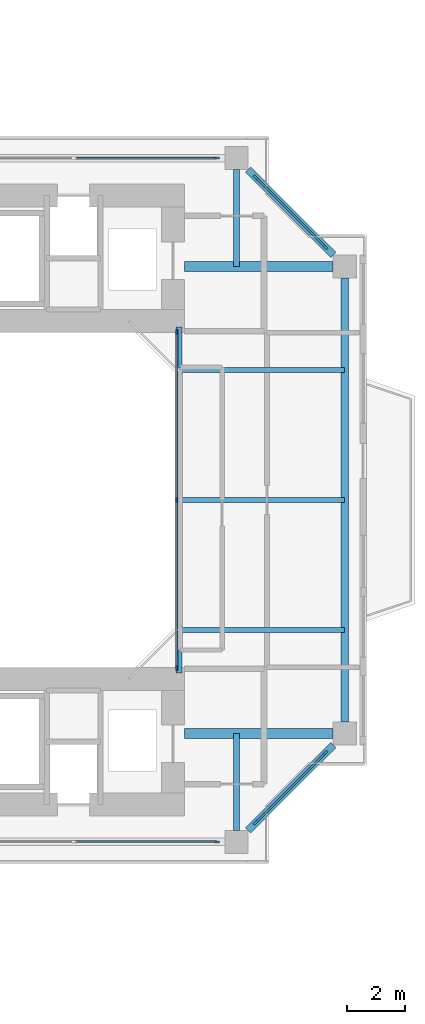
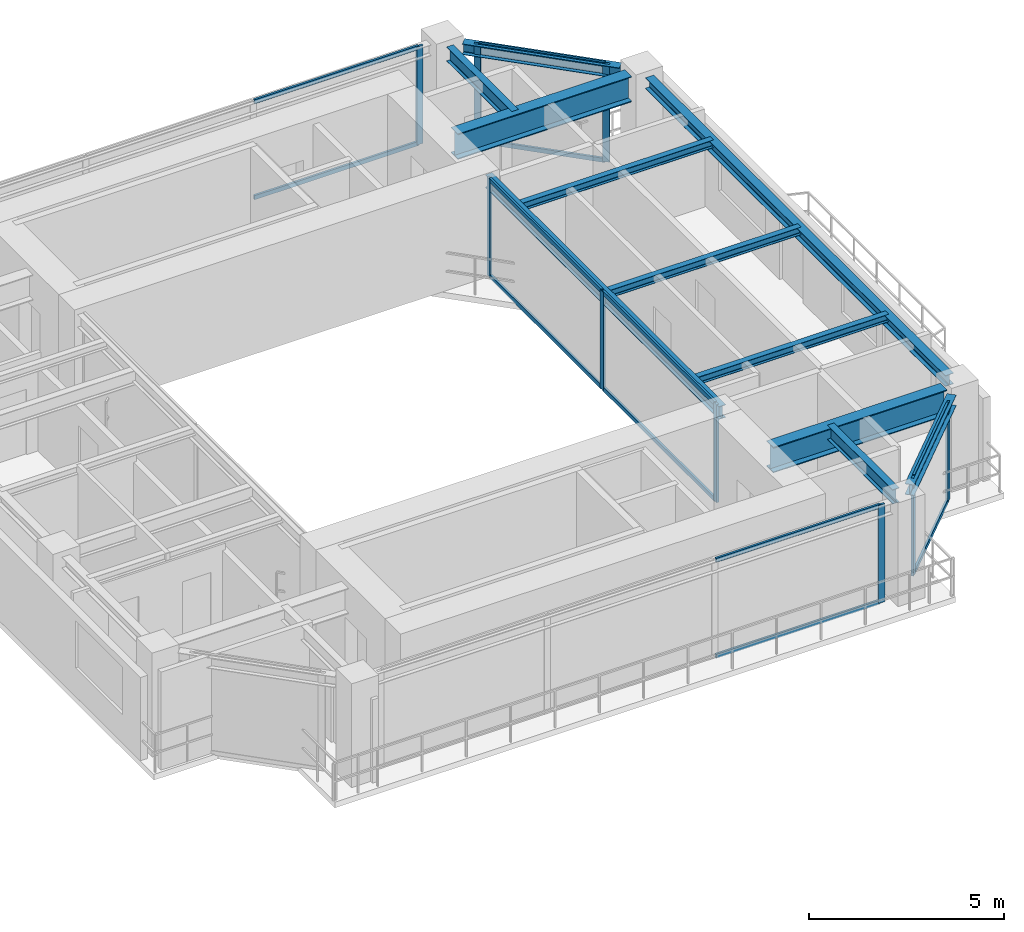
# One storey, part 11 of 24: 21 members, 11 beams, 5 elements without a shape of their own.
"""IFC4 building model written with IfcOpenShell, lengths in metres."""

from ifc_helpers import new_model, si_unit, direction, frame, origin, origin_2d, place, context, subcontext, project, spatial, rectangle, i_section, extrude, source, transform, mapped, material, layer, layer_set, material_profile, profile_set, type_object, element, aggregate, save


model = new_model("IFC4")

# Units and contexts
model_context = context("Model", 3, precision=1e-05, world=origin(), true_north=direction((0.0, 1.0)))
body_context = subcontext(model_context, "Body", "Model", "MODEL_VIEW")
ifc_project = project(units=[si_unit("LENGTHUNIT", "METRE"), si_unit("AREAUNIT", "SQUARE_METRE"), si_unit("VOLUMEUNIT", "CUBIC_METRE"), si_unit("PLANEANGLEUNIT", "RADIAN"), si_unit("MASSUNIT", "GRAM", prefix="KILO"), si_unit("THERMODYNAMICTEMPERATUREUNIT", "KELVIN"), si_unit("POWERUNIT", "WATT")], contexts=[model_context])

# Site, building, storey
site_placement = place(None, origin())
site = spatial("IfcSite", under=ifc_project, at=site_placement, CompositionType="ELEMENT")
building_placement = place(site_placement, origin())
building = spatial("IfcBuilding", under=site, at=building_placement, Name="Qiaomeng Ring Towers", CompositionType="ELEMENT")
storey_placement = place(building_placement, frame((0.0, 0.0, 110.0)))
storey = spatial("IfcBuildingStorey", under=building, at=storey_placement, Name="L31", CompositionType="ELEMENT", Elevation=110.0)

# Beams
ifc_material_1 = material(Name="Steel Q355B", Category="steel")
ifc_material_profile_1 = material_profile(ifc_material_1, i_section(OverallWidth=0.199951171875, OverallDepth=0.39990234375, WebThickness=0.008056640625, FlangeThickness=0.012939453125, FilletRadius=0.01611328125, at=origin_2d()), Name="HN 400x200x8x13")
ifc_profile_set_1 = profile_set([ifc_material_profile_1], Name="Steel Q355B")
beam_type_1 = type_object("IfcBeamType", Name="STR-BM-HN400", PredefinedType="SPANDREL", material=ifc_profile_set_1)
shared_shape_1 = source(origin(), body_context, "Body", "SweptSolid", [
    extrude(i_section(OverallWidth=0.199951171875, OverallDepth=0.39990234375, WebThickness=0.008056640625, FlangeThickness=0.012939453125, FilletRadius=0.01611328125, at=origin_2d()), origin(), (0.0, 0.0, 1.0), 12.0),
])
beam_1_placement = place(storey_placement, frame((66.60009765625, 17.0, 2.8701171875), z_axis=(0.0, 1.0, 0.0), x_axis=(-1.0, 0.0, 0.0)))
element("IfcBeam", 1, at=beam_1_placement, inside=storey, type_object=beam_type_1, Name="L31 beam STR-BM-L31-T2-WELL-E", PredefinedType="SPANDREL", context=body_context, shape_type="MappedRepresentation", body=[
    mapped(shared_shape_1, transform((0.0, 0.0, 0.0), x_axis=(1.0, 0.0, 0.0), y_axis=(0.0, 1.0, 0.0), z_axis=(0.0, 0.0, 1.0), scale=1.0)),
])
ifc_material_profile_2 = material_profile(ifc_material_1, i_section(OverallWidth=0.25, OverallDepth=0.340087890625, WebThickness=0.009033203125, FlangeThickness=0.013916015625, FilletRadius=0.02001953125, at=origin_2d()), Name="HM 340x250x9x14")
ifc_profile_set_2 = profile_set([ifc_material_profile_2], Name="Steel Q355B")
beam_type_2 = type_object("IfcBeamType", Name="STR-BM-HM340", PredefinedType="SPANDREL", material=ifc_profile_set_2)
shared_shape_2 = source(origin(), body_context, "Body", "SweptSolid", [
    extrude(i_section(OverallWidth=0.25, OverallDepth=0.340087890625, WebThickness=0.009033203125, FlangeThickness=0.013916015625, FilletRadius=0.02001953125, at=origin_2d()), origin(), (0.0, 0.0, 1.0), 15.40185546875),
])
beam_2_placement = place(storey_placement, frame((72.35009765625, 15.299072265625, 2.89990234375), z_axis=(0.0, 1.0, 0.0), x_axis=(-1.0, 0.0, 0.0)))
element("IfcBeam", 2, at=beam_2_placement, inside=storey, type_object=beam_type_2, Name="L31 beam STR-SP-L31-T2-E1-E2", PredefinedType="SPANDREL", context=body_context, shape_type="MappedRepresentation", body=[
    mapped(shared_shape_2, transform((0.0, 0.0, 0.0), x_axis=(1.0, 0.0, 0.0), y_axis=(0.0, 1.0, 0.0), z_axis=(0.0, 0.0, 1.0), scale=1.0)),
])
shared_shape_3 = source(origin(), body_context, "Body", "SweptSolid", [
    extrude(i_section(OverallWidth=0.25, OverallDepth=0.340087890625, WebThickness=0.009033203125, FlangeThickness=0.013916015625, FilletRadius=0.02001953125, at=origin_2d()), origin(), (0.0, 0.0, 1.0), 4.173828125),
])
for number, where, z_axis, x_axis, name in (
    (3, (68.999267578125, 11.54931640625, 2.89990234375), (0.707106781187, 0.707106781187, 0.0), (-0.707106781187, 0.707106781187, 0.0), "L31 beam STR-SP-L31-T2-S2-E1"),
    (4, (71.95068359375, 31.499267578125, 2.89990234375), (-0.707106781187, 0.707106781187, 0.0), (-0.707106781187, -0.707106781187, 0.0), "L31 beam STR-SP-L31-T2-E2-N2"),
):
    element("IfcBeam", number, at=place(storey_placement, frame(where, z_axis=z_axis, x_axis=x_axis)), inside=storey, type_object=beam_type_2, Name=name, PredefinedType="SPANDREL", context=body_context, shape_type="MappedRepresentation", body=[
        mapped(shared_shape_3, transform((0.0, 0.0, 0.0), x_axis=(1.0, 0.0, 0.0), y_axis=(0.0, 1.0, 0.0), z_axis=(0.0, 0.0, 1.0), scale=1.0)),
    ])
ifc_material_2 = material(Name="Steel Q390GJC", Category="steel")
ifc_material_profile_3 = material_profile(ifc_material_2, i_section(OverallWidth=0.35009765625, OverallDepth=0.800048828125, WebThickness=0.01611328125, FlangeThickness=0.028076171875, at=origin_2d()), Name="WH 800x350x16x28")
ifc_profile_set_3 = profile_set([ifc_material_profile_3], Name="Steel Q390GJC")
beam_type_3 = type_object("IfcBeamType", Name="STR-BM-WH800", PredefinedType="BEAM", material=ifc_profile_set_3)
shared_shape_4 = source(origin(), body_context, "Body", "SweptSolid", [
    extrude(i_section(OverallWidth=0.35009765625, OverallDepth=0.800048828125, WebThickness=0.01611328125, FlangeThickness=0.028076171875, at=origin_2d()), origin(), (0.0, 0.0, 1.0), 5.15087890625),
])
for number, where, z_axis, x_axis, name in (
    (5, (66.800048828125, 14.89990234375, 2.669921875), (1.0, 0.0, 0.0), (0.0, 1.0, 0.0), "L31 beam STR-BM-L31-T2-RAD-E1"),
    (6, (66.800048828125, 31.10009765625, 2.669921875), (1.0, 0.0, 0.0), (0.0, 1.0, 0.0), "L31 beam STR-BM-L31-T2-RAD-E2"),
):
    element("IfcBeam", number, at=place(storey_placement, frame(where, z_axis=z_axis, x_axis=x_axis)), inside=storey, type_object=beam_type_3, Name=name, PredefinedType="BEAM", context=body_context, shape_type="MappedRepresentation", body=[
        mapped(shared_shape_4, transform((0.0, 0.0, 0.0), x_axis=(1.0, 0.0, 0.0), y_axis=(0.0, 1.0, 0.0), z_axis=(0.0, 0.0, 1.0), scale=1.0)),
    ])
ifc_material_profile_4 = material_profile(ifc_material_1, i_section(OverallWidth=0.199951171875, OverallDepth=0.449951171875, WebThickness=0.009033203125, FlangeThickness=0.013916015625, FilletRadius=0.01806640625, at=origin_2d()), Name="HN 450x200x9x14")
ifc_profile_set_4 = profile_set([ifc_material_profile_4], Name="Steel Q355B")
beam_type_4 = type_object("IfcBeamType", Name="STR-BM-HN450", PredefinedType="SPANDREL", material=ifc_profile_set_4)
shared_shape_5 = source(origin(), body_context, "Body", "SweptSolid", [
    extrude(i_section(OverallWidth=0.199951171875, OverallDepth=0.449951171875, WebThickness=0.009033203125, FlangeThickness=0.013916015625, FilletRadius=0.01806640625, at=origin_2d()), origin(), (0.0, 0.0, 1.0), 3.350830078125),
])
for number, where, z_axis, x_axis, name in (
    (7, (68.60009765625, 34.450927734375, 2.844970703125), (0.0, -1.0, 0.0), (1.0, 0.0, 0.0), "L31 beam STR-BM-L31-T2-RAD-N2"),
    (8, (68.60009765625, 11.549072265625, 2.844970703125), (0.0, 1.0, 0.0), (-1.0, 0.0, 0.0), "L31 beam STR-BM-L31-T2-RAD-S2"),
):
    element("IfcBeam", number, at=place(storey_placement, frame(where, z_axis=z_axis, x_axis=x_axis)), inside=storey, type_object=beam_type_4, Name=name, PredefinedType="SPANDREL", context=body_context, shape_type="MappedRepresentation", body=[
        mapped(shared_shape_5, transform((0.0, 0.0, 0.0), x_axis=(1.0, 0.0, 0.0), y_axis=(0.0, 1.0, 0.0), z_axis=(0.0, 0.0, 1.0), scale=1.0)),
    ])
ifc_material_profile_5 = material_profile(ifc_material_1, i_section(OverallWidth=0.175048828125, OverallDepth=0.243896484375, WebThickness=0.007080078125, FlangeThickness=0.010986328125, FilletRadius=0.01611328125, at=origin_2d()), Name="HM 244x175x7x11")
ifc_profile_set_5 = profile_set([ifc_material_profile_5], Name="Steel Q355B")
beam_type_5 = type_object("IfcBeamType", Name="STR-BM-HM244", PredefinedType="JOIST", material=ifc_profile_set_5)
shared_shape_6 = source(origin(), body_context, "Body", "SweptSolid", [
    extrude(i_section(OverallWidth=0.175048828125, OverallDepth=0.243896484375, WebThickness=0.007080078125, FlangeThickness=0.010986328125, FilletRadius=0.01611328125, at=origin_2d()), origin(), (0.0, 0.0, 1.0), 5.75),
])
for number, where, z_axis, x_axis, name in (
    (9, (66.60009765625, 18.5, 2.947998046875), (1.0, 0.0, 0.0), (0.0, 1.0, 0.0), "L31 beam STR-JST-L31-T2E-1"),
    (10, (66.60009765625, 23.0, 2.947998046875), (1.0, 0.0, 0.0), (0.0, 1.0, 0.0), "L31 beam STR-JST-L31-T2E-2"),
    (11, (66.60009765625, 27.5, 2.947998046875), (1.0, 0.0, 0.0), (0.0, 1.0, 0.0), "L31 beam STR-JST-L31-T2E-3"),
):
    element("IfcBeam", number, at=place(storey_placement, frame(where, z_axis=z_axis, x_axis=x_axis)), inside=storey, type_object=beam_type_5, Name=name, PredefinedType="JOIST", context=body_context, shape_type="MappedRepresentation", body=[
        mapped(shared_shape_6, transform((0.0, 0.0, 0.0), x_axis=(1.0, 0.0, 0.0), y_axis=(0.0, 1.0, 0.0), z_axis=(0.0, 0.0, 1.0), scale=1.0)),
    ])

# Curtain wall, members
ifc_material_3 = material(Name="Fluorocarbon dark-grey aluminium", Category="aluminium")
ifc_layer_1 = layer(ifc_material_3, 0.139892578125, Name="Fluorocarbon dark-grey aluminium")
ifc_layer_set_1 = layer_set([ifc_layer_1], Name="Fluorocarbon dark-grey aluminium")
curtain_wall_type_1 = type_object("IfcCurtainWallType", Name="ARC-CW-4", PredefinedType="NOTDEFINED", material=ifc_layer_set_1)
curtain_wall_1_placement = place(storey_placement, origin())
curtain_wall_1 = element("IfcCurtainWall", 12, at=curtain_wall_1_placement, inside=storey, type_object=curtain_wall_type_1, Name="L31 Curtain Wall CW4", PredefinedType="NOTDEFINED")
ifc_material_profile_6 = material_profile(ifc_material_3, rectangle(XDim=0.06494140625, YDim=0.159912109375, at=origin_2d()), Name="ALU MULL 65x160")
ifc_profile_set_6 = profile_set([ifc_material_profile_6], Name="Fluorocarbon dark-grey aluminium")
member_type_1 = type_object("IfcMemberType", Name="ARC-CWM-140", PredefinedType="MULLION", material=ifc_profile_set_6)
shared_shape_7 = source(origin(), body_context, "Body", "SweptSolid", [
    extrude(rectangle(XDim=0.06494140625, YDim=0.159912109375, at=origin_2d()), origin(), (0.0, 0.0, 1.0), 3.070068359375),
])
member_1_placement = place(storey_placement, frame((66.52001953125, 17.1826171875, 0.0), z_axis=(0.0, 0.0, 1.0), x_axis=(-1.0, 0.0, 0.0)))
member_1 = element("IfcMember", 13, at=member_1_placement, type_object=member_type_1, Name="CW4 mullion 1", PredefinedType="MULLION", context=body_context, shape_type="MappedRepresentation", body=[
    mapped(shared_shape_7, transform((0.0, 0.0, 0.0), x_axis=(1.0, 0.0, 0.0), y_axis=(0.0, 1.0, 0.0), z_axis=(0.0, 0.0, 1.0), scale=1.0)),
])
member_2_placement = place(storey_placement, frame((66.52001953125, 23.0, 0.0), z_axis=(0.0, 0.0, 1.0), x_axis=(-1.0, 0.0, 0.0)))
member_2 = element("IfcMember", 14, at=member_2_placement, type_object=member_type_1, Name="CW4 mullion 2", PredefinedType="MULLION", context=body_context, shape_type="MappedRepresentation", body=[
    mapped(shared_shape_7, transform((0.0, 0.0, 0.0), x_axis=(1.0, 0.0, 0.0), y_axis=(0.0, 1.0, 0.0), z_axis=(0.0, 0.0, 1.0), scale=1.0)),
])
member_3_placement = place(storey_placement, frame((66.52001953125, 28.8173828125, 0.0), z_axis=(0.0, 0.0, 1.0), x_axis=(-1.0, 0.0, 0.0)))
member_3 = element("IfcMember", 15, at=member_3_placement, type_object=member_type_1, Name="CW4 mullion 3", PredefinedType="MULLION", context=body_context, shape_type="MappedRepresentation", body=[
    mapped(shared_shape_7, transform((0.0, 0.0, 0.0), x_axis=(1.0, 0.0, 0.0), y_axis=(0.0, 1.0, 0.0), z_axis=(0.0, 0.0, 1.0), scale=1.0)),
])
ifc_material_profile_7 = material_profile(ifc_material_3, rectangle(XDim=0.06494140625, YDim=0.1298828125, at=origin_2d()), Name="ALU TRAN 65x130")
ifc_profile_set_7 = profile_set([ifc_material_profile_7], Name="Fluorocarbon dark-grey aluminium")
member_type_2 = type_object("IfcMemberType", Name="ARC-CWT-120", PredefinedType="USERDEFINED", material=ifc_profile_set_7)
shared_shape_8 = source(origin(), body_context, "Body", "SweptSolid", [
    extrude(rectangle(XDim=0.06494140625, YDim=0.1298828125, at=origin_2d()), origin(), (0.0, 0.0, 1.0), 5.75244140625),
])
member_4_placement = place(storey_placement, frame((66.52001953125, 17.215087890625, 0.032470703125), z_axis=(0.0, 1.0, 0.0), x_axis=(-1.0, 0.0, 0.0)))
member_4 = element("IfcMember", 16, at=member_4_placement, type_object=member_type_2, Name="CW4 transom 1.1", ObjectType="TRANSOM", PredefinedType="USERDEFINED", context=body_context, shape_type="MappedRepresentation", body=[
    mapped(shared_shape_8, transform((0.0, 0.0, 0.0), x_axis=(1.0, 0.0, 0.0), y_axis=(0.0, 1.0, 0.0), z_axis=(0.0, 0.0, 1.0), scale=1.0)),
])
member_5_placement = place(storey_placement, frame((66.52001953125, 17.215087890625, 3.03759765625), z_axis=(0.0, 1.0, 0.0), x_axis=(-1.0, 0.0, 0.0)))
member_5 = element("IfcMember", 17, at=member_5_placement, type_object=member_type_2, Name="CW4 transom 1.2", ObjectType="TRANSOM", PredefinedType="USERDEFINED", context=body_context, shape_type="MappedRepresentation", body=[
    mapped(shared_shape_8, transform((0.0, 0.0, 0.0), x_axis=(1.0, 0.0, 0.0), y_axis=(0.0, 1.0, 0.0), z_axis=(0.0, 0.0, 1.0), scale=1.0)),
])
member_6_placement = place(storey_placement, frame((66.52001953125, 23.032470703125, 0.032470703125), z_axis=(0.0, 1.0, 0.0), x_axis=(-1.0, 0.0, 0.0)))
member_6 = element("IfcMember", 18, at=member_6_placement, type_object=member_type_2, Name="CW4 transom 2.1", ObjectType="TRANSOM", PredefinedType="USERDEFINED", context=body_context, shape_type="MappedRepresentation", body=[
    mapped(shared_shape_8, transform((0.0, 0.0, 0.0), x_axis=(1.0, 0.0, 0.0), y_axis=(0.0, 1.0, 0.0), z_axis=(0.0, 0.0, 1.0), scale=1.0)),
])
member_7_placement = place(storey_placement, frame((66.52001953125, 23.032470703125, 3.03759765625), z_axis=(0.0, 1.0, 0.0), x_axis=(-1.0, 0.0, 0.0)))
member_7 = element("IfcMember", 19, at=member_7_placement, type_object=member_type_2, Name="CW4 transom 2.2", ObjectType="TRANSOM", PredefinedType="USERDEFINED", context=body_context, shape_type="MappedRepresentation", body=[
    mapped(shared_shape_8, transform((0.0, 0.0, 0.0), x_axis=(1.0, 0.0, 0.0), y_axis=(0.0, 1.0, 0.0), z_axis=(0.0, 0.0, 1.0), scale=1.0)),
])
aggregate(curtain_wall_1, [member_1, member_2, member_3, member_4, member_5, member_6, member_7])

# Curtain wall, member
ifc_layer_2 = layer(ifc_material_3, 0.14990234375, Name="Fluorocarbon dark-grey aluminium")
ifc_layer_set_2 = layer_set([ifc_layer_2], Name="Fluorocarbon dark-grey aluminium")
curtain_wall_type_2 = type_object("IfcCurtainWallType", Name="ARC-CW-5", PredefinedType="NOTDEFINED", material=ifc_layer_set_2)
curtain_wall_2_placement = place(storey_placement, origin())
curtain_wall_2 = element("IfcCurtainWall", 20, at=curtain_wall_2_placement, inside=storey, type_object=curtain_wall_type_2, Name="L31 Curtain Wall CW5", PredefinedType="NOTDEFINED")
ifc_material_profile_8 = material_profile(ifc_material_3, rectangle(XDim=0.070068359375, YDim=0.179931640625, at=origin_2d()), Name="ALU MULL 70x180")
ifc_profile_set_8 = profile_set([ifc_material_profile_8], Name="Fluorocarbon dark-grey aluminium")
member_type_3 = type_object("IfcMemberType", Name="ARC-CWM-160", PredefinedType="MULLION", material=ifc_profile_set_8)
shared_shape_9 = source(origin(), body_context, "Body", "SweptSolid", [
    extrude(rectangle(XDim=0.070068359375, YDim=0.179931640625, at=origin_2d()), origin(), (0.0, 0.0, 1.0), 3.070068359375),
])
member_8_placement = place(storey_placement, frame((67.925048828125, 34.85009765625, 0.0), z_axis=(0.0, 0.0, 1.0), x_axis=(0.0, 1.0, 0.0)))
member_8 = element("IfcMember", 21, at=member_8_placement, type_object=member_type_3, Name="CW5 mullion 4", PredefinedType="MULLION", context=body_context, shape_type="MappedRepresentation", body=[
    mapped(shared_shape_9, transform((0.0, 0.0, 0.0), x_axis=(1.0, 0.0, 0.0), y_axis=(0.0, 1.0, 0.0), z_axis=(0.0, 0.0, 1.0), scale=1.0)),
])

# Curtain wall, members
curtain_wall_3_placement = place(storey_placement, origin())
curtain_wall_3 = element("IfcCurtainWall", 22, at=curtain_wall_3_placement, inside=storey, type_object=curtain_wall_type_2, Name="L31 Curtain Wall CW5", PredefinedType="NOTDEFINED")
member_9_placement = place(storey_placement, frame((69.2646484375, 11.814697265625, 0.0), z_axis=(0.0, 0.0, 1.0), x_axis=(-0.707106781187, 0.707106781187, 0.0)))
member_9 = element("IfcMember", 23, at=member_9_placement, type_object=member_type_3, Name="CW5 mullion 1", PredefinedType="MULLION", context=body_context, shape_type="MappedRepresentation", body=[
    mapped(shared_shape_9, transform((0.0, 0.0, 0.0), x_axis=(1.0, 0.0, 0.0), y_axis=(0.0, 1.0, 0.0), z_axis=(0.0, 0.0, 1.0), scale=1.0)),
])
member_10_placement = place(storey_placement, frame((71.685302734375, 14.2353515625, 0.0), z_axis=(0.0, 0.0, 1.0), x_axis=(-0.707106781187, 0.707106781187, 0.0)))
member_10 = element("IfcMember", 24, at=member_10_placement, type_object=member_type_3, Name="CW5 mullion 2", PredefinedType="MULLION", context=body_context, shape_type="MappedRepresentation", body=[
    mapped(shared_shape_9, transform((0.0, 0.0, 0.0), x_axis=(1.0, 0.0, 0.0), y_axis=(0.0, 1.0, 0.0), z_axis=(0.0, 0.0, 1.0), scale=1.0)),
])

curtain_wall_4_placement = place(storey_placement, origin())
curtain_wall_4 = element("IfcCurtainWall", 25, at=curtain_wall_4_placement, inside=storey, type_object=curtain_wall_type_2, Name="L31 Curtain Wall CW5", PredefinedType="NOTDEFINED")
member_11_placement = place(storey_placement, frame((71.685302734375, 31.7646484375, 0.0), z_axis=(0.0, 0.0, 1.0), x_axis=(-0.707106781187, -0.707106781187, 0.0)))
member_11 = element("IfcMember", 26, at=member_11_placement, type_object=member_type_3, Name="CW5 mullion 1", PredefinedType="MULLION", context=body_context, shape_type="MappedRepresentation", body=[
    mapped(shared_shape_9, transform((0.0, 0.0, 0.0), x_axis=(1.0, 0.0, 0.0), y_axis=(0.0, 1.0, 0.0), z_axis=(0.0, 0.0, 1.0), scale=1.0)),
])
member_12_placement = place(storey_placement, frame((69.2646484375, 34.185302734375, 0.0), z_axis=(0.0, 0.0, 1.0), x_axis=(-0.707106781187, -0.707106781187, 0.0)))
member_12 = element("IfcMember", 27, at=member_12_placement, type_object=member_type_3, Name="CW5 mullion 2", PredefinedType="MULLION", context=body_context, shape_type="MappedRepresentation", body=[
    mapped(shared_shape_9, transform((0.0, 0.0, 0.0), x_axis=(1.0, 0.0, 0.0), y_axis=(0.0, 1.0, 0.0), z_axis=(0.0, 0.0, 1.0), scale=1.0)),
])

# Curtain wall, member
curtain_wall_5_placement = place(storey_placement, origin())
curtain_wall_5 = element("IfcCurtainWall", 28, at=curtain_wall_5_placement, inside=storey, type_object=curtain_wall_type_2, Name="L31 Curtain Wall CW5", PredefinedType="NOTDEFINED")
member_13_placement = place(storey_placement, frame((67.925048828125, 11.14990234375, 0.0), z_axis=(0.0, 0.0, 1.0), x_axis=(0.0, 1.0, 0.0)))
member_13 = element("IfcMember", 29, at=member_13_placement, type_object=member_type_3, Name="CW5 mullion 4", PredefinedType="MULLION", context=body_context, shape_type="MappedRepresentation", body=[
    mapped(shared_shape_9, transform((0.0, 0.0, 0.0), x_axis=(1.0, 0.0, 0.0), y_axis=(0.0, 1.0, 0.0), z_axis=(0.0, 0.0, 1.0), scale=1.0)),
])

# Member
shared_shape_10 = source(origin(), body_context, "Body", "SweptSolid", [
    extrude(rectangle(XDim=0.06494140625, YDim=0.1298828125, at=origin_2d()), origin(), (0.0, 0.0, 1.0), 4.8681640625),
])
member_14_placement = place(storey_placement, frame((63.021728515625, 34.85009765625, 0.032470703125), z_axis=(1.0, 0.0, 0.0), x_axis=(0.0, 1.0, 0.0)))
member_14 = element("IfcMember", 30, at=member_14_placement, type_object=member_type_2, Name="CW5 transom 3.1", ObjectType="TRANSOM", PredefinedType="USERDEFINED", context=body_context, shape_type="MappedRepresentation", body=[
    mapped(shared_shape_10, transform((0.0, 0.0, 0.0), x_axis=(1.0, 0.0, 0.0), y_axis=(0.0, 1.0, 0.0), z_axis=(0.0, 0.0, 1.0), scale=1.0)),
])

member_15_placement = place(storey_placement, frame((63.021728515625, 34.85009765625, 3.03759765625), z_axis=(1.0, 0.0, 0.0), x_axis=(0.0, 1.0, 0.0)))
member_15 = element("IfcMember", 31, at=member_15_placement, type_object=member_type_2, Name="CW5 transom 3.2", ObjectType="TRANSOM", PredefinedType="USERDEFINED", context=body_context, shape_type="MappedRepresentation", body=[
    mapped(shared_shape_10, transform((0.0, 0.0, 0.0), x_axis=(1.0, 0.0, 0.0), y_axis=(0.0, 1.0, 0.0), z_axis=(0.0, 0.0, 1.0), scale=1.0)),
])

aggregate(curtain_wall_2, [member_8, member_14, member_15])

member_16_placement = place(storey_placement, frame((63.021728515625, 11.14990234375, 0.032470703125), z_axis=(1.0, 0.0, 0.0), x_axis=(0.0, 1.0, 0.0)))
member_16 = element("IfcMember", 32, at=member_16_placement, type_object=member_type_2, Name="CW5 transom 3.1", ObjectType="TRANSOM", PredefinedType="USERDEFINED", context=body_context, shape_type="MappedRepresentation", body=[
    mapped(shared_shape_10, transform((0.0, 0.0, 0.0), x_axis=(1.0, 0.0, 0.0), y_axis=(0.0, 1.0, 0.0), z_axis=(0.0, 0.0, 1.0), scale=1.0)),
])

member_17_placement = place(storey_placement, frame((63.021728515625, 11.14990234375, 3.03759765625), z_axis=(1.0, 0.0, 0.0), x_axis=(0.0, 1.0, 0.0)))
member_17 = element("IfcMember", 33, at=member_17_placement, type_object=member_type_2, Name="CW5 transom 3.2", ObjectType="TRANSOM", PredefinedType="USERDEFINED", context=body_context, shape_type="MappedRepresentation", body=[
    mapped(shared_shape_10, transform((0.0, 0.0, 0.0), x_axis=(1.0, 0.0, 0.0), y_axis=(0.0, 1.0, 0.0), z_axis=(0.0, 0.0, 1.0), scale=1.0)),
])

aggregate(curtain_wall_5, [member_13, member_16, member_17])

shared_shape_11 = source(origin(), body_context, "Body", "SweptSolid", [
    extrude(rectangle(XDim=0.06494140625, YDim=0.1298828125, at=origin_2d()), origin(), (0.0, 0.0, 1.0), 3.352783203125),
])
member_18_placement = place(storey_placement, frame((69.28955078125, 11.839599609375, 0.032470703125), z_axis=(0.707106781187, 0.707106781187, 0.0), x_axis=(-0.707106781187, 0.707106781187, 0.0)))
member_18 = element("IfcMember", 34, at=member_18_placement, type_object=member_type_2, Name="CW5 transom 1.1", ObjectType="TRANSOM", PredefinedType="USERDEFINED", context=body_context, shape_type="MappedRepresentation", body=[
    mapped(shared_shape_11, transform((0.0, 0.0, 0.0), x_axis=(1.0, 0.0, 0.0), y_axis=(0.0, 1.0, 0.0), z_axis=(0.0, 0.0, 1.0), scale=1.0)),
])

member_19_placement = place(storey_placement, frame((69.28955078125, 11.839599609375, 3.03759765625), z_axis=(0.707106781187, 0.707106781187, 0.0), x_axis=(-0.707106781187, 0.707106781187, 0.0)))
member_19 = element("IfcMember", 35, at=member_19_placement, type_object=member_type_2, Name="CW5 transom 1.2", ObjectType="TRANSOM", PredefinedType="USERDEFINED", context=body_context, shape_type="MappedRepresentation", body=[
    mapped(shared_shape_11, transform((0.0, 0.0, 0.0), x_axis=(1.0, 0.0, 0.0), y_axis=(0.0, 1.0, 0.0), z_axis=(0.0, 0.0, 1.0), scale=1.0)),
])

aggregate(curtain_wall_3, [member_9, member_10, member_18, member_19])

member_20_placement = place(storey_placement, frame((71.660400390625, 31.78955078125, 0.032470703125), z_axis=(-0.707106781187, 0.707106781187, 0.0), x_axis=(-0.707106781187, -0.707106781187, 0.0)))
member_20 = element("IfcMember", 36, at=member_20_placement, type_object=member_type_2, Name="CW5 transom 1.1", ObjectType="TRANSOM", PredefinedType="USERDEFINED", context=body_context, shape_type="MappedRepresentation", body=[
    mapped(shared_shape_11, transform((0.0, 0.0, 0.0), x_axis=(1.0, 0.0, 0.0), y_axis=(0.0, 1.0, 0.0), z_axis=(0.0, 0.0, 1.0), scale=1.0)),
])

member_21_placement = place(storey_placement, frame((71.660400390625, 31.78955078125, 3.03759765625), z_axis=(-0.707106781187, 0.707106781187, 0.0), x_axis=(-0.707106781187, -0.707106781187, 0.0)))
member_21 = element("IfcMember", 37, at=member_21_placement, type_object=member_type_2, Name="CW5 transom 1.2", ObjectType="TRANSOM", PredefinedType="USERDEFINED", context=body_context, shape_type="MappedRepresentation", body=[
    mapped(shared_shape_11, transform((0.0, 0.0, 0.0), x_axis=(1.0, 0.0, 0.0), y_axis=(0.0, 1.0, 0.0), z_axis=(0.0, 0.0, 1.0), scale=1.0)),
])

aggregate(curtain_wall_4, [member_11, member_12, member_20, member_21])

save(model, "model.ifc")
